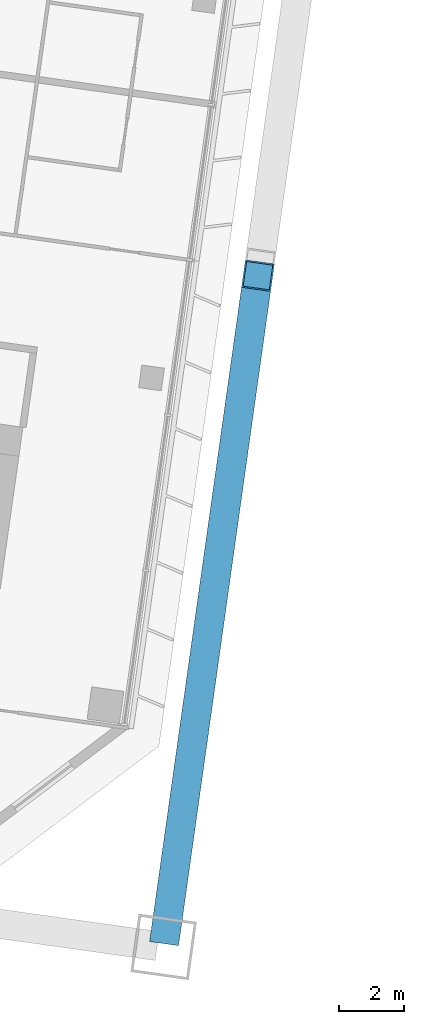
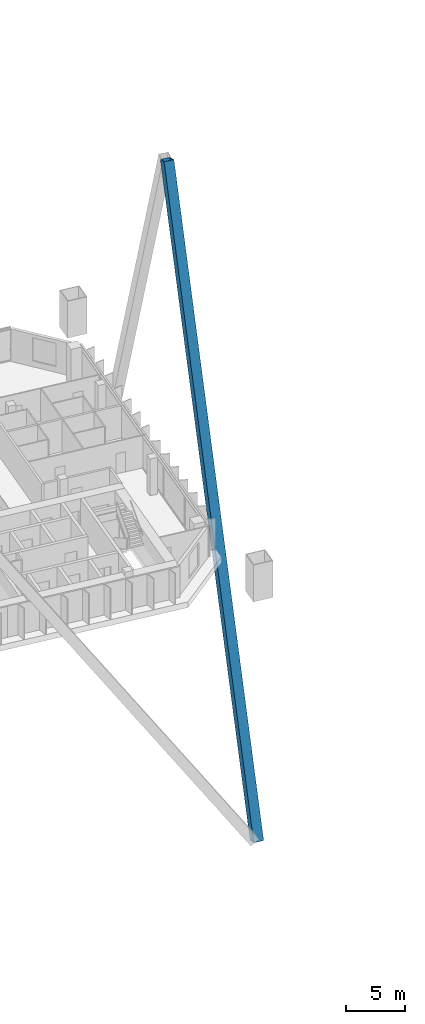
# One storey, part 15 of 49: 1 member.
"""IFC4 building model written with IfcOpenShell, lengths in metres."""

import ifcopenshell
import ifcopenshell.guid

model = None  # the IFC model being written
_history = None  # IfcOwnerHistory: only IFC2X3 demands one
_inside = {}  # id of a spatial element -> (the spatial element, [elements in it])
_under = {}  # id of a project, library or spatial element -> (it, [spatial elements below it])
_declared = {}  # id of a project -> (the project, [libraries it declares])
_typed = {}  # id of a type object -> (the type object, [elements of that type])
_made_of = {}  # id of a material, layer set ... -> (it, [elements and type objects made of it])


def new_model(schema):
    """Start an empty IFC model of exactly this schema.

    Asked for "IFC4X3", IfcOpenShell would pick the latest addendum, in which some entities
    have other attributes; the version numbers below select the first issue.
    IFC2X3 requires an IfcOwnerHistory on every rooted entity: one is made here for all.
    """
    global model, _history
    if schema == "IFC4X3":
        model = ifcopenshell.file(schema_version=(4, 3, 0, 0))
    else:
        model = ifcopenshell.file(schema=schema)
    _inside.clear()
    _under.clear()
    _declared.clear()
    _typed.clear()
    _made_of.clear()
    _history = None
    if model.schema == "IFC2X3":
        org = make("IfcOrganization", Name="unknown")
        user = make(
            "IfcPersonAndOrganization",
            ThePerson=make("IfcPerson", FamilyName="unknown"),
            TheOrganization=org,
        )
        app = make(
            "IfcApplication",
            ApplicationDeveloper=org,
            Version="unknown",
            ApplicationFullName="unknown",
            ApplicationIdentifier="unknown",
        )
        _history = make(
            "IfcOwnerHistory",
            OwningUser=user,
            OwningApplication=app,
            ChangeAction="ADDED",
            CreationDate=0,
        )
    return model


def make(cls, **values):
    """One entity of the class cls with the attributes given. An attribute that is None is left unset."""
    return model.create_entity(
        cls, **{name: value for name, value in values.items() if value is not None}
    )


def rooted(cls, **values):
    """An entity with a GlobalId (a new one), such as an element, a storey or a relation."""
    return make(cls, GlobalId=ifcopenshell.guid.new(), OwnerHistory=_history, **values)


def si_unit(unit_type, name, prefix=None):
    """IfcSIUnit, for example si_unit("LENGTHUNIT", "METRE", prefix="MILLI")."""
    return make("IfcSIUnit", UnitType=unit_type, Prefix=prefix, Name=name)


def assignment(units):
    """IfcUnitAssignment: the units of a project."""
    return None if units is None else make("IfcUnitAssignment", Units=units)


def point(xyz):
    """IfcCartesianPoint."""
    return None if xyz is None else make("IfcCartesianPoint", Coordinates=xyz)


def direction(xyz):
    """IfcDirection."""
    return None if xyz is None else make("IfcDirection", DirectionRatios=xyz)


def frame(location, z_axis=None, x_axis=None):
    """IfcAxis2Placement3D, a coordinate frame: its origin and axes. An axis left out is left unset."""
    return make(
        "IfcAxis2Placement3D",
        Location=point(location),
        Axis=direction(z_axis),
        RefDirection=direction(x_axis),
    )


def frame_2d(location, x_axis=None):
    """IfcAxis2Placement2D, a coordinate frame in the plane: its origin and x axis."""
    return make(
        "IfcAxis2Placement2D", Location=point(location), RefDirection=direction(x_axis)
    )


def origin():
    """The frame at (0, 0, 0) with its axes left unset."""
    return frame((0.0, 0.0, 0.0))


def origin_2d():
    """The frame at (0, 0) in the plane with its x axis left unset."""
    return frame_2d((0.0, 0.0))


def place(relative_to, where):
    """IfcLocalPlacement: puts the frame where relative to a parent placement (None: the world)."""
    return make(
        "IfcLocalPlacement", PlacementRelTo=relative_to, RelativePlacement=where
    )


def context(
    kind, dimensions, precision=None, world=None, true_north=None, identifier=None
):
    """IfcGeometricRepresentationContext, for example the 3D "Model" context."""
    return make(
        "IfcGeometricRepresentationContext",
        ContextIdentifier=identifier,
        ContextType=kind,
        CoordinateSpaceDimension=dimensions,
        Precision=precision,
        WorldCoordinateSystem=world,
        TrueNorth=true_north,
    )


def subcontext(parent, identifier, kind, view, scale=None):
    """IfcGeometricRepresentationSubContext, for example "Body" below "Model"."""
    return make(
        "IfcGeometricRepresentationSubContext",
        ContextIdentifier=identifier,
        ContextType=kind,
        ParentContext=parent,
        TargetScale=scale,
        TargetView=view,
    )


def project(units=None, contexts=None):
    """IfcProject with its units and contexts."""
    return rooted(
        "IfcProject",
        Name="project",
        RepresentationContexts=contexts,
        UnitsInContext=assignment(units),
    )


def spatial(cls, under=None, at=None, **own):
    """A site, building, storey or space (cls), placed at a placement, below another one or the project."""
    s = rooted(cls, ObjectPlacement=at, **own)
    if under is not None:
        _under.setdefault(under.id(), (under, []))[1].append(s)
    return s


def profile(cls, at=None, kind="AREA", **sizes):
    """A parametric profile (cls). Its sizes go by their IFC names, for example OverallWidth=200.0."""
    return make(cls, ProfileType=kind, Position=at, **sizes)


def hollow_rectangle(**sizes):
    """IfcRectangleHollowProfileDef."""
    return profile("IfcRectangleHollowProfileDef", **sizes)


def extrude(swept, where, along, depth):
    """IfcExtrudedAreaSolid: the profile swept, set in the frame where, extruded along a direction by depth."""
    return make(
        "IfcExtrudedAreaSolid",
        SweptArea=swept,
        Position=where,
        ExtrudedDirection=direction(along),
        Depth=depth,
    )


def shape(context_of_items, identifier, shape_type, items):
    """IfcShapeRepresentation: the items that make up one representation, for example the "Body"."""
    return make(
        "IfcShapeRepresentation",
        ContextOfItems=context_of_items,
        RepresentationIdentifier=identifier,
        RepresentationType=shape_type,
        Items=items,
    )


def material(Name=None, Category=None):
    """IfcMaterial."""
    return make("IfcMaterial", Name=Name, Category=Category)


def material_profile(
    of_material, cross_section, Name=None, Category=None, Priority=None
):
    """IfcMaterialProfile: a cross section and its material."""
    return make(
        "IfcMaterialProfile",
        Name=Name,
        Material=of_material,
        Profile=cross_section,
        Priority=Priority,
        Category=Category,
    )


def profile_set(profiles, Name=None, composite=None):
    """IfcMaterialProfileSet."""
    return make(
        "IfcMaterialProfileSet",
        Name=Name,
        MaterialProfiles=profiles,
        CompositeProfile=composite,
    )


def made_of(thing, what):
    """Note that an element or type object is made of a material, layer set ...; save() writes the relation."""
    if what is not None:
        _made_of.setdefault(what.id(), (what, []))[1].append(thing)
    return thing


def type_object(cls, material=None, **own):
    """A type object (cls), such as IfcWallType, which elements share."""
    return made_of(rooted(cls, **own), material)


def element(
    cls,
    number,
    at=None,
    inside=None,
    cuts=None,
    type_object=None,
    material=None,
    context=None,
    identifier="Body",
    shape_type=None,
    held_by="IfcProductDefinitionShape",
    body=None,
    shapes=None,
    **own,
):
    """One element of the class cls, such as IfcWall. Its Tag is "e" and its number.

    at: its placement. inside: the storey or other place that contains it. cuts: it is an
    opening in that element (IfcRelVoidsElement). A single representation is given by context,
    identifier, shape_type and body (its items); several are given by shapes. held_by: the class
    of the entity that holds the representations. save() writes the other relations.
    """
    e = rooted(cls, Tag="e%d" % number, ObjectPlacement=at, **own)
    if body is not None:
        shapes = [shape(context, identifier, shape_type, body)]
    if shapes is not None:
        e.Representation = make(held_by, Representations=shapes)
    if inside is not None:
        _inside.setdefault(inside.id(), (inside, []))[1].append(e)
    if cuts is not None:
        rooted(
            "IfcRelVoidsElement", RelatingBuildingElement=cuts, RelatedOpeningElement=e
        )
    if type_object is not None:
        _typed.setdefault(type_object.id(), (type_object, []))[1].append(e)
    return made_of(e, material)


def aggregate(whole, parts):
    """IfcRelAggregates: a whole, such as a stair, and the parts it consists of."""
    return rooted("IfcRelAggregates", RelatingObject=whole, RelatedObjects=parts)


def save(model, path):
    """Write the relations noted so far, then the file.

    IfcRelAggregates (storeys below a building ...), IfcRelContainedInSpatialStructure (elements
    in a storey), IfcRelDefinesByType, IfcRelAssociatesMaterial and IfcRelDeclares: one each for
    every whole, place, type object, material and project.
    """
    for whole, parts in _under.values():
        aggregate(whole, parts)
    for where, things in _inside.values():
        rooted(
            "IfcRelContainedInSpatialStructure",
            RelatedElements=things,
            RelatingStructure=where,
        )
    for kind, things in _typed.values():
        rooted("IfcRelDefinesByType", RelatedObjects=things, RelatingType=kind)
    for what, things in _made_of.values():
        rooted("IfcRelAssociatesMaterial", RelatedObjects=things, RelatingMaterial=what)
    for by, libraries in _declared.values():
        rooted("IfcRelDeclares", RelatingContext=by, RelatedDefinitions=libraries)
    model.write(path)


model = new_model("IFC4")

# Units and contexts
model_context = context("Model", 3, precision=1e-05, world=origin(), true_north=direction((0.0, 1.0)))
body_context = subcontext(model_context, "Body", "Model", "MODEL_VIEW")
ifc_project = project(units=[si_unit("LENGTHUNIT", "METRE"), si_unit("AREAUNIT", "SQUARE_METRE"), si_unit("VOLUMEUNIT", "CUBIC_METRE"), si_unit("PLANEANGLEUNIT", "RADIAN"), si_unit("MASSUNIT", "GRAM", prefix="KILO")], contexts=[model_context])

# Site, building, storey
site_placement = place(None, origin())
site = spatial("IfcSite", under=ifc_project, at=site_placement, CompositionType="ELEMENT")
building_placement = place(site_placement, origin())
building = spatial("IfcBuilding", under=site, at=building_placement, Name="Mirante Cascada Hotel Towers", CompositionType="ELEMENT")
storey_placement = place(building_placement, frame((0.0, 0.0, 66.1)))
storey = spatial("IfcBuildingStorey", under=building, at=storey_placement, Name="L13", CompositionType="ELEMENT", Elevation=66.1)

# Member
ifc_material = material(Name="Steel ASTM A572 Gr 50", Category="steel")
ifc_material_profile = material_profile(ifc_material, hollow_rectangle(XDim=0.9, YDim=0.9, WallThickness=0.045, at=origin_2d()), Name="Box brace 900x900x45 ASTM A572 Gr 50")
ifc_profile_set = profile_set([ifc_material_profile], Name="Steel ASTM A572 Gr 50")
member_type = type_object("IfcMemberType", Name="Box brace 900x900x45 ASTM A572 Gr 50", PredefinedType="BRACE", material=ifc_profile_set)
member_placement = place(storey_placement, frame((-30.8689, -22.5532, -25.815), z_axis=(0.0465147, 0.3309699, 0.9424942), x_axis=(-0.9902681, 0.1391729, 0.0)))
element("IfcMember", 1, at=member_placement, inside=storey, type_object=member_type, Name="brace T1 L13 5", PredefinedType="BRACE", context=body_context, shape_type="SweptSolid", body=[
    extrude(hollow_rectangle(XDim=0.9, YDim=0.9, WallThickness=0.045, at=origin_2d()), origin(), (0.0, 0.0, 1.0), 60.7055),
])

save(model, "model.ifc")
